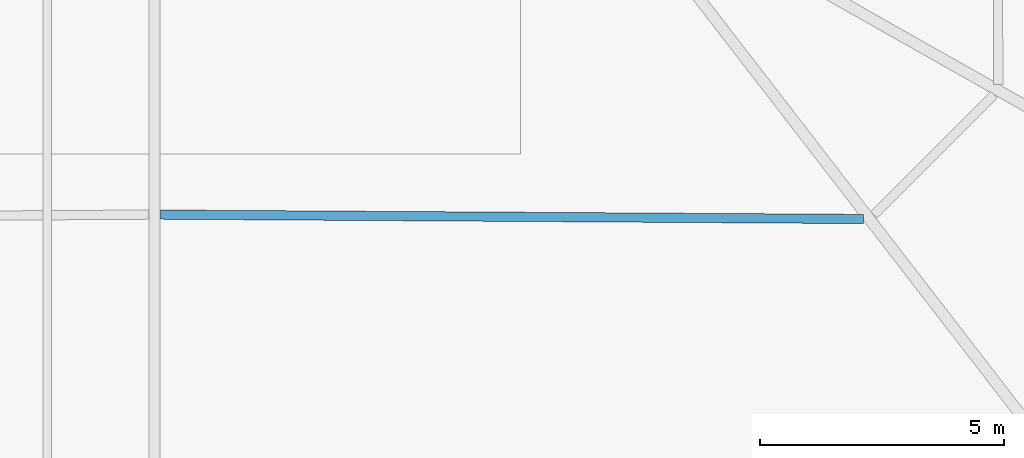
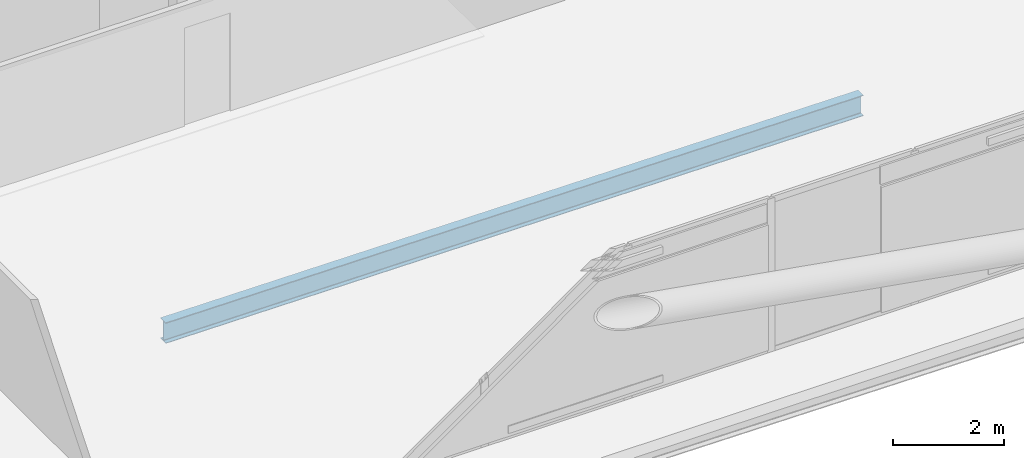
# One storey, part 22 of 50: 1 beam.
"""IFC4 building model written with IfcOpenShell, lengths in metres."""

from ifc_helpers import new_model, si_unit, direction, frame, origin, origin_2d, place, context, subcontext, project, spatial, i_section, extrude, material, material_profile, profile_set, type_object, element, save


model = new_model("IFC4")

# Units and contexts
model_context = context("Model", 3, precision=1e-05, world=origin(), true_north=direction((0.0, 1.0)))
body_context = subcontext(model_context, "Body", "Model", "MODEL_VIEW")
ifc_project = project(units=[si_unit("LENGTHUNIT", "METRE"), si_unit("AREAUNIT", "SQUARE_METRE"), si_unit("VOLUMEUNIT", "CUBIC_METRE"), si_unit("PLANEANGLEUNIT", "RADIAN"), si_unit("MASSUNIT", "GRAM", prefix="KILO")], contexts=[model_context])

# Site, building, storey
site_placement = place(None, origin())
site = spatial("IfcSite", under=ifc_project, at=site_placement, CompositionType="ELEMENT")
building_placement = place(site_placement, origin())
building = spatial("IfcBuilding", under=site, at=building_placement, Name="Caelvoria Tower", CompositionType="ELEMENT")
storey_placement = place(building_placement, frame((0.0, 0.0, 71.199951171875)))
storey = spatial("IfcBuildingStorey", under=building, at=storey_placement, Name="L18", CompositionType="ELEMENT", Elevation=71.199951171875)

# Beam
ifc_material = material(Name="Structural Steel ASTM A992 Gr.50", Category="steel")
ifc_material_profile = material_profile(ifc_material, i_section(OverallWidth=0.18994140625, OverallDepth=0.45703125, WebThickness=0.009033203125, FlangeThickness=0.014404296875, FilletRadius=0.014892578125, at=origin_2d()), Name="Structural Steel ASTM A992 Gr.50")
ifc_profile_set = profile_set([ifc_material_profile], Name="W460X74 - Structural Steel ASTM A992 Gr.50")
beam_type = type_object("IfcBeamType", Name="Secondary Floor Beam W460X74", PredefinedType="BEAM", material=ifc_profile_set)
beam_placement = place(storey_placement, frame((46.125, 16.75927734375, -0.468505859375), z_axis=(0.999980351346, -0.006268725729, 0.0), x_axis=(0.006268725729, 0.999980351346, 0.0)))
element("IfcBeam", 1, at=beam_placement, inside=storey, type_object=beam_type, Name="Secondary Floor Beam L18-01", PredefinedType="BEAM", context=body_context, shape_type="SweptSolid", body=[
    extrude(i_section(OverallWidth=0.18994140625, OverallDepth=0.45703125, WebThickness=0.009033203125, FlangeThickness=0.014404296875, FilletRadius=0.014892578125, at=origin_2d()), origin(), (0.0, 0.0, 1.0), 14.409912109375),
])

save(model, "model.ifc")
